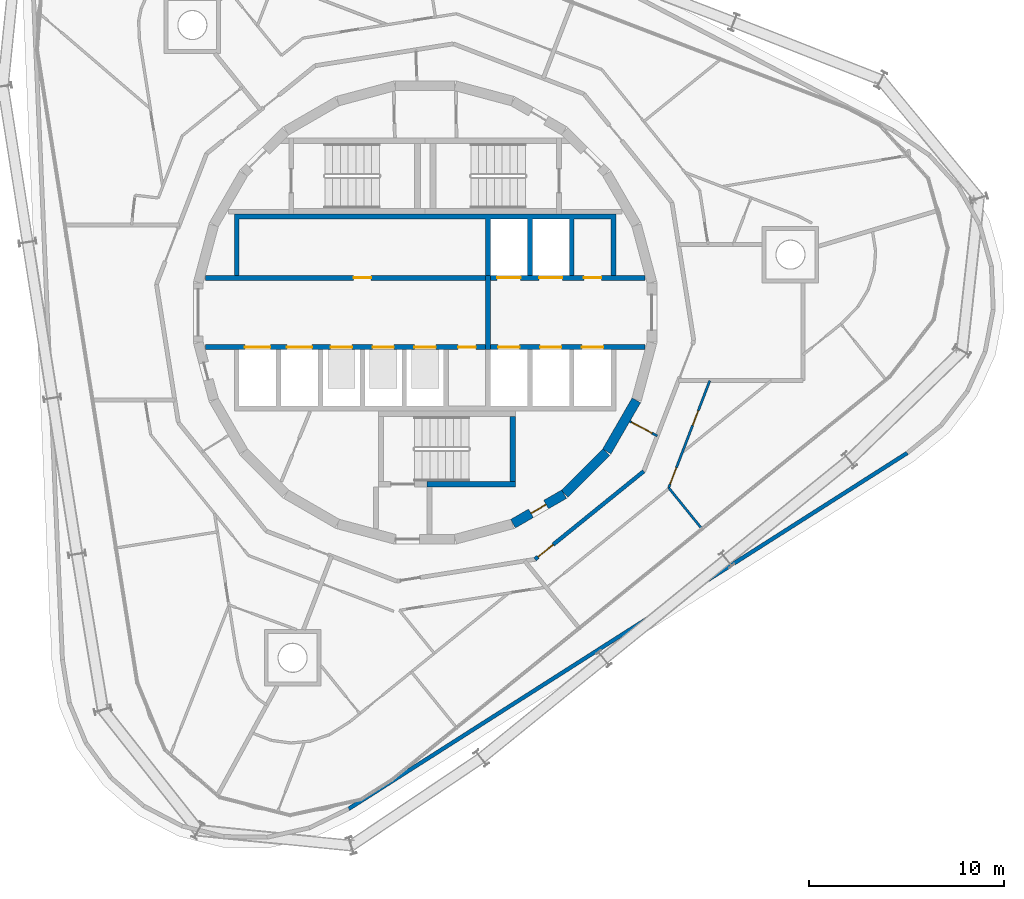
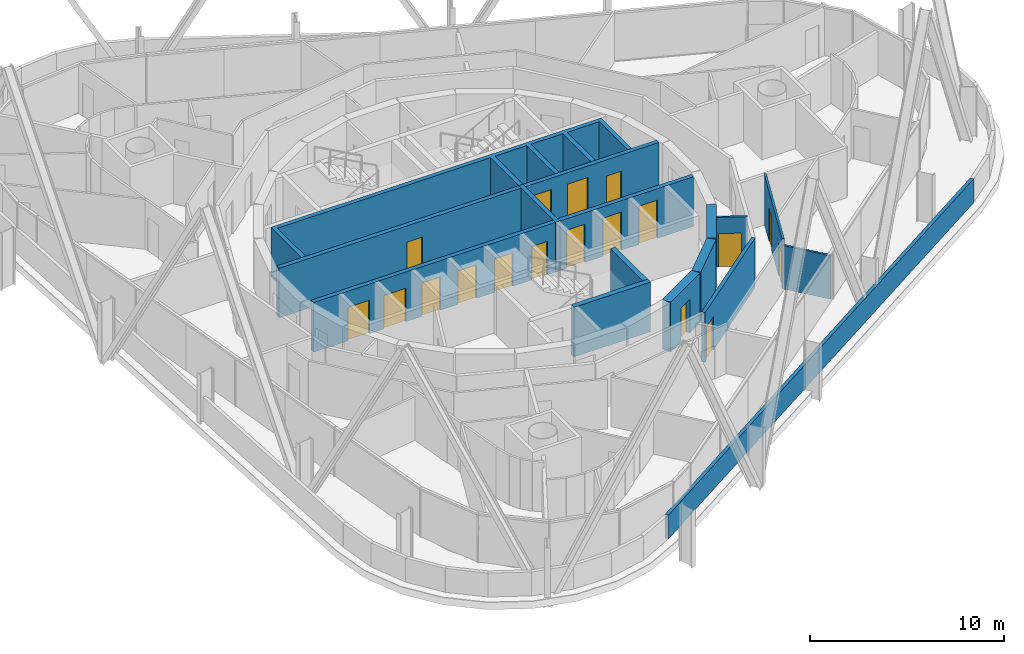
# One storey, part 13 of 19: 18 doors, 16 walls, 18 openings.
"""IFC4 building model written with IfcOpenShell, lengths in metres."""

from ifc_helpers import new_model, si_unit, direction, frame, frame_2d, origin, place, context, subcontext, project, spatial, polyline, rectangle, outline, extrude, material, layer, layer_set, type_object, element, fill, save


model = new_model("IFC4")

# Units and contexts
model_context = context("Model", 3, precision=1e-05, world=origin(), true_north=direction((0.0, 1.0)))
body_context = subcontext(model_context, "Body", "Model", "MODEL_VIEW")
ifc_project = project(units=[si_unit("LENGTHUNIT", "METRE"), si_unit("AREAUNIT", "SQUARE_METRE"), si_unit("VOLUMEUNIT", "CUBIC_METRE"), si_unit("PLANEANGLEUNIT", "RADIAN"), si_unit("MASSUNIT", "GRAM", prefix="KILO")], contexts=[model_context])

# Site, building, storey
site_placement = place(None, origin())
site = spatial("IfcSite", under=ifc_project, at=site_placement, CompositionType="ELEMENT")
building_placement = place(site_placement, origin())
building = spatial("IfcBuilding", under=site, at=building_placement, Name="Spindle Arch Residences", CompositionType="ELEMENT")
storey_placement = place(building_placement, frame((0.0, 0.0, 263.39990234375)))
storey = spatial("IfcBuildingStorey", under=building, at=storey_placement, Name="L67", CompositionType="ELEMENT", Elevation=263.39990234375)

# Wall, opening, door
ifc_material_1 = material(Name="Concrete C50/60", Category="concrete")
ifc_layer_1 = layer(ifc_material_1, 0.5)
ifc_layer_set_1 = layer_set([ifc_layer_1], Name="Core outline wall 500")
wall_type_1 = type_object("IfcWallType", Name="Core outline wall 500", PredefinedType="SHEAR", material=ifc_layer_set_1)
wall_1_placement = place(storey_placement, frame((4.510498046875, -10.84521484375, 0.0), z_axis=(0.0, 0.0, 1.0), x_axis=(0.865975092491, 0.500087131594, 0.0)))
wall_1 = element("IfcWall", 1, at=wall_1_placement, inside=storey, type_object=wall_type_1, Name="Core outline wall 2", PredefinedType="SHEAR", context=body_context, shape_type="SweptSolid", body=[
    extrude(rectangle(XDim=3.03271484375, YDim=0.5, at=frame_2d((1.516357421875, 0.0))), origin(), (0.0, 0.0, 1.0), 3.1201171875),
])
opening_1_placement = place(wall_1_placement, frame((1.06640625, 0.0, 0.0)))
opening_1 = element("IfcOpeningElement", 2, at=opening_1_placement, cuts=wall_1, Name="Opening R7A0-WD07", PredefinedType="OPENING", context=body_context, shape_type="SweptSolid", body=[
    extrude(rectangle(XDim=0.89990234375, YDim=2.10009765625, at=frame_2d((0.449951171875, 1.050048828125))), frame((0.0, 0.260009765625, 0.0), z_axis=(0.0, -1.0, 0.0), x_axis=(1.0, 0.0, 0.0)), (0.0, 0.0, 1.0), 0.52001953125),
])
ifc_material_2 = material(Name="Steel, fire-resisting door", Category="steel")
door_type_1 = type_object("IfcDoorType", Name="Service room door 900x2100", OperationType="SINGLE_SWING_LEFT", PredefinedType="DOOR", material=ifc_material_2)
door_1_placement = place(opening_1_placement, origin())
door_1 = element("IfcDoor", 3, at=door_1_placement, inside=storey, type_object=door_type_1, Name="Service room door R7A0-WD07", OperationType="SINGLE_SWING_LEFT", OverallHeight=2.10009765625, OverallWidth=0.89990234375, PredefinedType="DOOR", context=body_context, shape_type="SweptSolid", body=[
    extrude(rectangle(XDim=0.89990234375, YDim=2.10009765625, at=frame_2d((0.449951171875, 1.050048828125))), frame((0.0, 0.02490234375, 0.0), z_axis=(0.0, -1.0, 0.0), x_axis=(1.0, 0.0, 0.0)), (0.0, 0.0, 1.0), 0.050048828125),
])
fill(opening_1, door_1)

# Walls
wall_2_placement = place(storey_placement, frame((7.163818359375, -9.30810546875, 0.0), z_axis=(0.0, 0.0, 1.0), x_axis=(0.707106781187, 0.707106781187, 0.0)))
element("IfcWall", 4, at=wall_2_placement, inside=storey, type_object=wall_type_1, Name="Core outline wall 3", PredefinedType="SHEAR", context=body_context, shape_type="SweptSolid", body=[
    extrude(rectangle(XDim=3.032470703125, YDim=0.5, at=frame_2d((1.51611328125, 0.0))), origin(), (0.0, 0.0, 1.0), 3.1201171875),
])
wall_3_placement = place(storey_placement, frame((9.32861328125, -7.13671875, 0.0), z_axis=(0.0, 0.0, 1.0), x_axis=(0.500087131594, 0.865975092491, 0.0)))
element("IfcWall", 5, at=wall_3_placement, inside=storey, type_object=wall_type_1, Name="Core outline wall 4", PredefinedType="SHEAR", context=body_context, shape_type="SweptSolid", body=[
    extrude(rectangle(XDim=3.03271484375, YDim=0.5, at=frame_2d((1.516357421875, 0.0))), origin(), (0.0, 0.0, 1.0), 3.1201171875),
])

# Wall, opening, door
ifc_material_3 = material(Name="Plasterboard on steel studs", Category="steel")
ifc_layer_2 = layer(ifc_material_3, 0.1201171875)
ifc_layer_set_2 = layer_set([ifc_layer_2], Name="Corridor division wall 120")
wall_type_2 = type_object("IfcWallType", Name="Corridor division wall 120", PredefinedType="PARTITIONING", material=ifc_layer_set_2)
wall_4_placement = place(storey_placement, frame((10.510986328125, -5.5888671875, 0.0), z_axis=(0.0, 0.0, 1.0), x_axis=(0.882983002821, -0.469404960273, 0.0)))
wall_4 = element("IfcWall", 6, at=wall_4_placement, inside=storey, type_object=wall_type_2, Name="Corridor division wall R7A0-W002", PredefinedType="PARTITIONING", context=body_context, shape_type="SweptSolid", body=[
    extrude(rectangle(XDim=1.59619140625, YDim=0.1201171875, at=frame_2d((0.798095703125, 0.0))), origin(), (0.0, 0.0, 1.0), 3.1201171875),
])
opening_2_placement = place(wall_4_placement, frame((0.10009765625, 0.0, 0.0)))
opening_2 = element("IfcOpeningElement", 7, at=opening_2_placement, cuts=wall_4, Name="Opening R7A0-CD02", PredefinedType="OPENING", context=body_context, shape_type="SweptSolid", body=[
    extrude(rectangle(XDim=1.199951171875, YDim=2.10009765625, at=frame_2d((0.60009765625, 1.050048828125))), frame((0.0, 0.070068359375, 0.0), z_axis=(0.0, -1.0, 0.0), x_axis=(1.0, 0.0, 0.0)), (0.0, 0.0, 1.0), 0.14013671875),
])
ifc_material_4 = material(Name="Steel, fire-resisting door", Category="steel")
door_type_2 = type_object("IfcDoorType", Name="Corridor division door 1200x2100", OperationType="NOTDEFINED", PredefinedType="DOOR", material=ifc_material_4)
door_2_placement = place(opening_2_placement, origin())
door_2 = element("IfcDoor", 8, at=door_2_placement, inside=storey, type_object=door_type_2, Name="Corridor division door R7A0-CD02", OperationType="DOUBLE_DOOR_SINGLE_SWING", OverallHeight=2.10009765625, OverallWidth=1.199951171875, PredefinedType="DOOR", context=body_context, shape_type="SweptSolid", body=[
    extrude(rectangle(XDim=1.199951171875, YDim=2.10009765625, at=frame_2d((0.60009765625, 1.050048828125))), frame((0.0, 0.02490234375, 0.0), z_axis=(0.0, -1.0, 0.0), x_axis=(1.0, 0.0, 0.0)), (0.0, 0.0, 1.0), 0.050048828125),
])
fill(opening_2, door_2)

ifc_material_5 = material(Name="Calcium silicate block, plastered")
ifc_layer_3 = layer(ifc_material_5, 0.199951171875)
ifc_layer_set_3 = layer_set([ifc_layer_3], Name="Corridor wall 200")
wall_type_3 = type_object("IfcWallType", Name="Corridor wall 200", PredefinedType="STANDARD", material=ifc_layer_set_3)
wall_5_placement = place(storey_placement, frame((5.642578125, -12.67333984375, 0.0), z_axis=(0.0, 0.0, 1.0), x_axis=(0.777160148113, 0.629302871585, 0.0)))
wall_5 = element("IfcWall", 9, at=wall_5_placement, inside=storey, type_object=wall_type_3, Name="Corridor wall R7A0-W015", PredefinedType="STANDARD", context=body_context, shape_type="SweptSolid", body=[
    extrude(rectangle(XDim=7.180908203125, YDim=0.199951171875, at=frame_2d((3.59033203125, 0.0))), origin(), (0.0, 0.0, 1.0), 3.1201171875),
])
opening_3_placement = place(wall_5_placement, frame((0.199951171875, 0.0, 0.0)))
opening_3 = element("IfcOpeningElement", 10, at=opening_3_placement, cuts=wall_5, Name="Opening R7A0-FD06", PredefinedType="OPENING", context=body_context, shape_type="SweptSolid", body=[
    extrude(rectangle(XDim=1.0, YDim=2.10009765625, at=frame_2d((0.5, 1.050048828125))), frame((0.0, 0.10986328125, 0.0), z_axis=(0.0, -1.0, 0.0), x_axis=(1.0, 0.0, 0.0)), (0.0, 0.0, 1.0), 0.219970703125),
])
ifc_material_6 = material(Name="Timber, fire-resisting door set", Category="wood")
door_type_3 = type_object("IfcDoorType", Name="Flat entrance door 1000x2100", OperationType="NOTDEFINED", PredefinedType="DOOR", material=ifc_material_6)
door_3_placement = place(opening_3_placement, origin())
door_3 = element("IfcDoor", 11, at=door_3_placement, inside=storey, type_object=door_type_3, Name="Flat entrance door R7A0-FD06", OperationType="SINGLE_SWING_LEFT", OverallHeight=2.10009765625, OverallWidth=1.0, PredefinedType="DOOR", context=body_context, shape_type="SweptSolid", body=[
    extrude(rectangle(XDim=1.0, YDim=2.10009765625, at=frame_2d((0.5, 1.050048828125))), frame((0.0, 0.02490234375, 0.0), z_axis=(0.0, -1.0, 0.0), x_axis=(1.0, 0.0, 0.0)), (0.0, 0.0, 1.0), 0.050048828125),
])
fill(opening_3, door_3)

# Wall, openings, doors
ifc_material_7 = material(Name="Concrete C40/50", Category="concrete")
ifc_layer_4 = layer(ifc_material_7, 0.25)
ifc_layer_set_4 = layer_set([ifc_layer_4], Name="Fire-lift lobby wall 250")
wall_type_4 = type_object("IfcWallType", Name="Fire-lift lobby wall 250", PredefinedType="SHEAR", material=ifc_layer_set_4)
wall_6_placement = place(storey_placement, frame((3.35009765625, 1.77490234375, 0.0), z_axis=(0.0, 0.0, 1.0), x_axis=(1.0, 0.0, 0.0)))
wall_6 = element("IfcWall", 12, at=wall_6_placement, inside=storey, type_object=wall_type_4, Name="Lift shaft front wall NE", PredefinedType="SHEAR", context=body_context, shape_type="SweptSolid", body=[
    extrude(rectangle(XDim=7.929931640625, YDim=0.25, at=frame_2d((3.96484375, 0.0))), origin(), (0.0, 0.0, 1.0), 3.1201171875),
])
opening_4_placement = place(wall_6_placement, frame((0.35009765625, 0.0, 0.0)))
opening_4 = element("IfcOpeningElement", 13, at=opening_4_placement, cuts=wall_6, Name="Opening R7A0-SLD01", PredefinedType="OPENING", context=body_context, shape_type="SweptSolid", body=[
    extrude(rectangle(XDim=1.199951171875, YDim=2.39990234375, at=frame_2d((0.60009765625, 1.199951171875))), frame((0.0, 0.135009765625, 0.0), z_axis=(0.0, -1.0, 0.0), x_axis=(1.0, 0.0, 0.0)), (0.0, 0.0, 1.0), 0.27001953125),
])
opening_5_placement = place(wall_6_placement, frame((2.5, 0.0, 0.0)))
opening_5 = element("IfcOpeningElement", 14, at=opening_5_placement, cuts=wall_6, Name="Opening R7A0-SLD02", PredefinedType="OPENING", context=body_context, shape_type="SweptSolid", body=[
    extrude(rectangle(XDim=1.199951171875, YDim=2.39990234375, at=frame_2d((0.60009765625, 1.199951171875))), frame((0.0, 0.135009765625, 0.0), z_axis=(0.0, -1.0, 0.0), x_axis=(1.0, 0.0, 0.0)), (0.0, 0.0, 1.0), 0.27001953125),
])
opening_6_placement = place(wall_6_placement, frame((4.800048828125, 0.0, 0.0)))
opening_6 = element("IfcOpeningElement", 15, at=opening_6_placement, cuts=wall_6, Name="Opening R7A0-WD02", PredefinedType="OPENING", context=body_context, shape_type="SweptSolid", body=[
    extrude(rectangle(XDim=0.89990234375, YDim=2.10009765625, at=frame_2d((0.449951171875, 1.050048828125))), frame((0.0, 0.135009765625, 0.0), z_axis=(0.0, -1.0, 0.0), x_axis=(1.0, 0.0, 0.0)), (0.0, 0.0, 1.0), 0.27001953125),
])
ifc_material_8 = material(Name="Steel, fire-resisting landing door", Category="steel")
door_type_4 = type_object("IfcDoorType", Name="Service lift landing door 1200x2400", OperationType="DOUBLE_DOOR_SLIDING", PredefinedType="DOOR", material=ifc_material_8)
door_4_placement = place(opening_4_placement, origin())
door_4 = element("IfcDoor", 16, at=door_4_placement, inside=storey, type_object=door_type_4, Name="Service lift landing door R7A0-SLD01", OperationType="DOUBLE_DOOR_SLIDING", OverallHeight=2.39990234375, OverallWidth=1.199951171875, PredefinedType="DOOR", context=body_context, shape_type="SweptSolid", body=[
    extrude(rectangle(XDim=1.199951171875, YDim=2.39990234375, at=frame_2d((0.60009765625, 1.199951171875))), frame((0.0, 0.02490234375, 0.0), z_axis=(0.0, -1.0, 0.0), x_axis=(1.0, 0.0, 0.0)), (0.0, 0.0, 1.0), 0.050048828125),
])
fill(opening_4, door_4)
door_5_placement = place(opening_5_placement, origin())
door_5 = element("IfcDoor", 17, at=door_5_placement, inside=storey, type_object=door_type_4, Name="Service lift landing door R7A0-SLD02", OperationType="DOUBLE_DOOR_SLIDING", OverallHeight=2.39990234375, OverallWidth=1.199951171875, PredefinedType="DOOR", context=body_context, shape_type="SweptSolid", body=[
    extrude(rectangle(XDim=1.199951171875, YDim=2.39990234375, at=frame_2d((0.60009765625, 1.199951171875))), frame((0.0, 0.02490234375, 0.0), z_axis=(0.0, -1.0, 0.0), x_axis=(1.0, 0.0, 0.0)), (0.0, 0.0, 1.0), 0.050048828125),
])
fill(opening_5, door_5)
door_6_placement = place(opening_6_placement, origin())
door_6 = element("IfcDoor", 18, at=door_6_placement, inside=storey, type_object=door_type_1, Name="Service room door R7A0-WD02", OperationType="SINGLE_SWING_RIGHT", OverallHeight=2.10009765625, OverallWidth=0.89990234375, PredefinedType="DOOR", context=body_context, shape_type="SweptSolid", body=[
    extrude(rectangle(XDim=0.89990234375, YDim=2.10009765625, at=frame_2d((0.449951171875, 1.050048828125))), frame((0.0, 0.02490234375, 0.0), z_axis=(0.0, -1.0, 0.0), x_axis=(1.0, 0.0, 0.0)), (0.0, 0.0, 1.0), 0.050048828125),
])
fill(opening_6, door_6)

# Wall
wall_7_placement = place(storey_placement, frame((3.22509765625, -1.89990234375, 0.0), z_axis=(0.0, 0.0, 1.0), x_axis=(0.0, 1.0, 0.0)))
element("IfcWall", 19, at=wall_7_placement, inside=storey, type_object=wall_type_4, Name="Fire-fighting lobby partition", PredefinedType="SHEAR", context=body_context, shape_type="SweptSolid", body=[
    extrude(rectangle(XDim=3.7998046875, YDim=0.25, at=frame_2d((1.89990234375, 0.0))), origin(), (0.0, 0.0, 1.0), 3.1201171875),
])

# Wall, openings, doors
ifc_material_9 = material(Name="Concrete C50/60", Category="concrete")
ifc_layer_5 = layer(ifc_material_9, 0.25)
ifc_layer_set_5 = layer_set([ifc_layer_5], Name="Fire-lift shaft wall 250")
wall_type_5 = type_object("IfcWallType", Name="Fire-lift shaft wall 250", PredefinedType="SHEAR", material=ifc_layer_set_5)
wall_8_placement = place(storey_placement, frame((3.35009765625, -1.77490234375, 0.0), z_axis=(0.0, 0.0, 1.0), x_axis=(1.0, 0.0, 0.0)))
wall_8 = element("IfcWall", 20, at=wall_8_placement, inside=storey, type_object=wall_type_5, Name="Lift shaft front wall SE", PredefinedType="SHEAR", context=body_context, shape_type="SweptSolid", body=[
    extrude(rectangle(XDim=7.929931640625, YDim=0.25, at=frame_2d((3.96484375, 0.0))), origin(), (0.0, 0.0, 1.0), 3.1201171875),
])
opening_7_placement = place(wall_8_placement, frame((0.39990234375, 0.0, 0.0)))
opening_7 = element("IfcOpeningElement", 21, at=opening_7_placement, cuts=wall_8, Name="Opening R7A0-FLD01", PredefinedType="OPENING", context=body_context, shape_type="SweptSolid", body=[
    extrude(rectangle(XDim=1.10009765625, YDim=2.39990234375, at=frame_2d((0.550048828125, 1.199951171875))), frame((0.0, 0.135009765625, 0.0), z_axis=(0.0, -1.0, 0.0), x_axis=(1.0, 0.0, 0.0)), (0.0, 0.0, 1.0), 0.27001953125),
])
opening_8_placement = place(wall_8_placement, frame((2.550048828125, 0.0, 0.0)))
opening_8 = element("IfcOpeningElement", 22, at=opening_8_placement, cuts=wall_8, Name="Opening R7A0-FLD02", PredefinedType="OPENING", context=body_context, shape_type="SweptSolid", body=[
    extrude(rectangle(XDim=1.10009765625, YDim=2.39990234375, at=frame_2d((0.550048828125, 1.199951171875))), frame((0.0, 0.135009765625, 0.0), z_axis=(0.0, -1.0, 0.0), x_axis=(1.0, 0.0, 0.0)), (0.0, 0.0, 1.0), 0.27001953125),
])
opening_9_placement = place(wall_8_placement, frame((4.699951171875, 0.0, 0.0)))
opening_9 = element("IfcOpeningElement", 23, at=opening_9_placement, cuts=wall_8, Name="Opening R7A0-FLD03", PredefinedType="OPENING", context=body_context, shape_type="SweptSolid", body=[
    extrude(rectangle(XDim=1.10009765625, YDim=2.39990234375, at=frame_2d((0.550048828125, 1.199951171875))), frame((0.0, 0.135009765625, 0.0), z_axis=(0.0, -1.0, 0.0), x_axis=(1.0, 0.0, 0.0)), (0.0, 0.0, 1.0), 0.27001953125),
])
ifc_material_10 = material(Name="Steel, fire-resisting landing door", Category="steel")
door_type_5 = type_object("IfcDoorType", Name="Fire-fighting lift landing door 1100x2400", OperationType="DOUBLE_DOOR_SLIDING", PredefinedType="DOOR", material=ifc_material_10)
door_7_placement = place(opening_7_placement, origin())
door_7 = element("IfcDoor", 24, at=door_7_placement, inside=storey, type_object=door_type_5, Name="Fire-fighting lift landing door R7A0-FLD01", OperationType="DOUBLE_DOOR_SLIDING", OverallHeight=2.39990234375, OverallWidth=1.10009765625, PredefinedType="DOOR", context=body_context, shape_type="SweptSolid", body=[
    extrude(rectangle(XDim=1.10009765625, YDim=2.39990234375, at=frame_2d((0.550048828125, 1.199951171875))), frame((0.0, 0.02490234375, 0.0), z_axis=(0.0, -1.0, 0.0), x_axis=(1.0, 0.0, 0.0)), (0.0, 0.0, 1.0), 0.050048828125),
])
fill(opening_7, door_7)
door_8_placement = place(opening_8_placement, origin())
door_8 = element("IfcDoor", 25, at=door_8_placement, inside=storey, type_object=door_type_5, Name="Fire-fighting lift landing door R7A0-FLD02", OperationType="DOUBLE_DOOR_SLIDING", OverallHeight=2.39990234375, OverallWidth=1.10009765625, PredefinedType="DOOR", context=body_context, shape_type="SweptSolid", body=[
    extrude(rectangle(XDim=1.10009765625, YDim=2.39990234375, at=frame_2d((0.550048828125, 1.199951171875))), frame((0.0, 0.02490234375, 0.0), z_axis=(0.0, -1.0, 0.0), x_axis=(1.0, 0.0, 0.0)), (0.0, 0.0, 1.0), 0.050048828125),
])
fill(opening_8, door_8)
door_9_placement = place(opening_9_placement, origin())
door_9 = element("IfcDoor", 26, at=door_9_placement, inside=storey, type_object=door_type_5, Name="Fire-fighting lift landing door R7A0-FLD03", OperationType="DOUBLE_DOOR_SLIDING", OverallHeight=2.39990234375, OverallWidth=1.10009765625, PredefinedType="DOOR", context=body_context, shape_type="SweptSolid", body=[
    extrude(rectangle(XDim=1.10009765625, YDim=2.39990234375, at=frame_2d((0.550048828125, 1.199951171875))), frame((0.0, 0.02490234375, 0.0), z_axis=(0.0, -1.0, 0.0), x_axis=(1.0, 0.0, 0.0)), (0.0, 0.0, 1.0), 0.050048828125),
])
fill(opening_9, door_9)

ifc_material_11 = material(Name="Plasterboard on steel studs", Category="steel")
ifc_layer_6 = layer(ifc_material_11, 0.1201171875)
ifc_layer_set_6 = layer_set([ifc_layer_6], Name="Flat partition 120")
wall_type_6 = type_object("IfcWallType", Name="Flat partition 120", PredefinedType="PARTITIONING", material=ifc_layer_set_6)
wall_9_placement = place(storey_placement, frame((12.5048828125, -9.000732421875, 0.0), z_axis=(0.0, 0.0, 1.0), x_axis=(0.358373707046, 0.933578216379, 0.0)))
wall_9 = element("IfcWall", 27, at=wall_9_placement, inside=storey, type_object=wall_type_6, Name="Flat partition R7A0-W086", PredefinedType="PARTITIONING", context=body_context, shape_type="SweptSolid", body=[
    extrude(rectangle(XDim=5.89208984375, YDim=0.1201171875, at=frame_2d((2.946044921875, 0.0))), origin(), (0.0, 0.0, 1.0), 3.1201171875),
])
opening_10_placement = place(wall_9_placement, frame((0.199951171875, 0.0, 0.0)))
opening_10 = element("IfcOpeningElement", 28, at=opening_10_placement, cuts=wall_9, Name="Opening R7A0-ID24", PredefinedType="OPENING", context=body_context, shape_type="SweptSolid", body=[
    extrude(rectangle(XDim=0.89990234375, YDim=2.10009765625, at=frame_2d((0.449951171875, 1.050048828125))), frame((0.0, 0.070068359375, 0.0), z_axis=(0.0, -1.0, 0.0), x_axis=(1.0, 0.0, 0.0)), (0.0, 0.0, 1.0), 0.14013671875),
])
opening_11_placement = place(wall_9_placement, frame((3.435791015625, 0.0, 0.0)))
opening_11 = element("IfcOpeningElement", 29, at=opening_11_placement, cuts=wall_9, Name="Opening R7A0-BD06", PredefinedType="OPENING", context=body_context, shape_type="SweptSolid", body=[
    extrude(rectangle(XDim=0.800048828125, YDim=2.10009765625, at=frame_2d((0.39990234375, 1.050048828125))), frame((0.0, 0.070068359375, 0.0), z_axis=(0.0, -1.0, 0.0), x_axis=(1.0, 0.0, 0.0)), (0.0, 0.0, 1.0), 0.14013671875),
])
ifc_material_12 = material(Name="Timber door set", Category="wood")
door_type_6 = type_object("IfcDoorType", Name="Bathroom door 800x2100", OperationType="NOTDEFINED", PredefinedType="DOOR", material=ifc_material_12)
door_10_placement = place(opening_11_placement, origin())
door_10 = element("IfcDoor", 30, at=door_10_placement, inside=storey, type_object=door_type_6, Name="Bathroom door R7A0-BD06", OperationType="SINGLE_SWING_RIGHT", OverallHeight=2.10009765625, OverallWidth=0.800048828125, PredefinedType="DOOR", context=body_context, shape_type="SweptSolid", body=[
    extrude(rectangle(XDim=0.800048828125, YDim=2.10009765625, at=frame_2d((0.39990234375, 1.050048828125))), frame((0.0, 0.02490234375, 0.0), z_axis=(0.0, -1.0, 0.0), x_axis=(1.0, 0.0, 0.0)), (0.0, 0.0, 1.0), 0.050048828125),
])
fill(opening_11, door_10)
ifc_material_13 = material(Name="Timber door set", Category="wood")
door_type_7 = type_object("IfcDoorType", Name="Room door 900x2100", OperationType="NOTDEFINED", PredefinedType="DOOR", material=ifc_material_13)
door_11_placement = place(opening_10_placement, origin())
door_11 = element("IfcDoor", 31, at=door_11_placement, inside=storey, type_object=door_type_7, Name="Room door R7A0-ID24", OperationType="SINGLE_SWING_RIGHT", OverallHeight=2.10009765625, OverallWidth=0.89990234375, PredefinedType="DOOR", context=body_context, shape_type="SweptSolid", body=[
    extrude(rectangle(XDim=0.89990234375, YDim=2.10009765625, at=frame_2d((0.449951171875, 1.050048828125))), frame((0.0, 0.02490234375, 0.0), z_axis=(0.0, -1.0, 0.0), x_axis=(1.0, 0.0, 0.0)), (0.0, 0.0, 1.0), 0.050048828125),
])
fill(opening_10, door_11)

# Wall
ifc_material_14 = material(Name="Plasterboard on steel studs", Category="steel")
ifc_layer_7 = layer(ifc_material_14, 0.1201171875)
ifc_layer_set_7 = layer_set([ifc_layer_7], Name="Flat partition 120 under beam 2730")
wall_type_7 = type_object("IfcWallType", Name="Flat partition 120 under beam 2730", PredefinedType="PARTITIONING", material=ifc_layer_set_7)
wall_10_placement = place(storey_placement, frame((14.161376953125, -11.04638671875, 0.0), z_axis=(0.0, 0.0, 1.0), x_axis=(-0.62931028473, 0.777154145284, 0.0)))
element("IfcWall", 32, at=wall_10_placement, inside=storey, type_object=wall_type_7, Name="Flat partition R7A0-W094", PredefinedType="PARTITIONING", context=body_context, shape_type="SweptSolid", body=[
    extrude(rectangle(XDim=2.63232421875, YDim=0.1201171875, at=frame_2d((1.316162109375, 0.0))), origin(), (0.0, 0.0, 1.0), 2.72998046875),
])

# Wall, opening, door
ifc_material_15 = material(Name="Concrete C50/60", Category="concrete")
ifc_layer_8 = layer(ifc_material_15, 0.25)
ifc_layer_set_8 = layer_set([ifc_layer_8], Name="Lift shaft wall 250")
wall_type_8 = type_object("IfcWallType", Name="Lift shaft wall 250", PredefinedType="SHEAR", material=ifc_layer_set_8)
wall_11_placement = place(storey_placement, frame((-11.280029296875, 1.77490234375, 0.0), z_axis=(0.0, 0.0, 1.0), x_axis=(1.0, 0.0, 0.0)))
wall_11 = element("IfcWall", 33, at=wall_11_placement, inside=storey, type_object=wall_type_8, Name="Lift shaft front wall NW", PredefinedType="SHEAR", context=body_context, shape_type="SweptSolid", body=[
    extrude(rectangle(XDim=14.380126953125, YDim=0.25, at=frame_2d((7.18994140625, 0.0))), origin(), (0.0, 0.0, 1.0), 3.1201171875),
])
opening_12_placement = place(wall_11_placement, frame((7.60498046875, 0.0, 0.0)))
opening_12 = element("IfcOpeningElement", 34, at=opening_12_placement, cuts=wall_11, Name="Opening R7A0-WD01", PredefinedType="OPENING", context=body_context, shape_type="SweptSolid", body=[
    extrude(rectangle(XDim=0.89990234375, YDim=2.10009765625, at=frame_2d((0.449951171875, 1.050048828125))), frame((0.0, 0.135009765625, 0.0), z_axis=(0.0, -1.0, 0.0), x_axis=(1.0, 0.0, 0.0)), (0.0, 0.0, 1.0), 0.27001953125),
])
door_12_placement = place(opening_12_placement, origin())
door_12 = element("IfcDoor", 35, at=door_12_placement, inside=storey, type_object=door_type_1, Name="Service room door R7A0-WD01", OperationType="SINGLE_SWING_LEFT", OverallHeight=2.10009765625, OverallWidth=0.89990234375, PredefinedType="DOOR", context=body_context, shape_type="SweptSolid", body=[
    extrude(rectangle(XDim=0.89990234375, YDim=2.10009765625, at=frame_2d((0.449951171875, 1.050048828125))), frame((0.0, 0.02490234375, 0.0), z_axis=(0.0, -1.0, 0.0), x_axis=(1.0, 0.0, 0.0)), (0.0, 0.0, 1.0), 0.050048828125),
])
fill(opening_12, door_12)

# Wall, openings, doors
wall_12_placement = place(storey_placement, frame((-11.280029296875, -1.77490234375, 0.0), z_axis=(0.0, 0.0, 1.0), x_axis=(1.0, 0.0, 0.0)))
wall_12 = element("IfcWall", 36, at=wall_12_placement, inside=storey, type_object=wall_type_8, Name="Lift shaft front wall SW", PredefinedType="SHEAR", context=body_context, shape_type="SweptSolid", body=[
    extrude(rectangle(XDim=14.380126953125, YDim=0.25, at=frame_2d((7.18994140625, 0.0))), origin(), (0.0, 0.0, 1.0), 3.1201171875),
])
opening_13_placement = place(wall_12_placement, frame((2.030029296875, 0.0, 0.0)))
opening_13 = element("IfcOpeningElement", 37, at=opening_13_placement, cuts=wall_12, Name="Opening R7A0-XLD01", PredefinedType="OPENING", context=body_context, shape_type="SweptSolid", body=[
    extrude(rectangle(XDim=1.300048828125, YDim=2.10009765625, at=frame_2d((0.64990234375, 1.050048828125))), frame((0.0, 0.135009765625, 0.0), z_axis=(0.0, -1.0, 0.0), x_axis=(1.0, 0.0, 0.0)), (0.0, 0.0, 1.0), 0.27001953125),
])
opening_14_placement = place(wall_12_placement, frame((4.179931640625, 0.0, 0.0)))
opening_14 = element("IfcOpeningElement", 38, at=opening_14_placement, cuts=wall_12, Name="Opening R7A0-XLD02", PredefinedType="OPENING", context=body_context, shape_type="SweptSolid", body=[
    extrude(rectangle(XDim=1.300048828125, YDim=2.10009765625, at=frame_2d((0.64990234375, 1.050048828125))), frame((0.0, 0.135009765625, 0.0), z_axis=(0.0, -1.0, 0.0), x_axis=(1.0, 0.0, 0.0)), (0.0, 0.0, 1.0), 0.27001953125),
])
opening_15_placement = place(wall_12_placement, frame((6.429931640625, 0.0, 0.0)))
opening_15 = element("IfcOpeningElement", 39, at=opening_15_placement, cuts=wall_12, Name="Opening R7A0-LD01", PredefinedType="OPENING", context=body_context, shape_type="SweptSolid", body=[
    extrude(rectangle(XDim=1.10009765625, YDim=2.10009765625, at=frame_2d((0.550048828125, 1.050048828125))), frame((0.0, 0.135009765625, 0.0), z_axis=(0.0, -1.0, 0.0), x_axis=(1.0, 0.0, 0.0)), (0.0, 0.0, 1.0), 0.27001953125),
])
opening_16_placement = place(wall_12_placement, frame((8.580078125, 0.0, 0.0)))
opening_16 = element("IfcOpeningElement", 40, at=opening_16_placement, cuts=wall_12, Name="Opening R7A0-LD02", PredefinedType="OPENING", context=body_context, shape_type="SweptSolid", body=[
    extrude(rectangle(XDim=1.10009765625, YDim=2.10009765625, at=frame_2d((0.550048828125, 1.050048828125))), frame((0.0, 0.135009765625, 0.0), z_axis=(0.0, -1.0, 0.0), x_axis=(1.0, 0.0, 0.0)), (0.0, 0.0, 1.0), 0.27001953125),
])
opening_17_placement = place(wall_12_placement, frame((10.72998046875, 0.0, 0.0)))
opening_17 = element("IfcOpeningElement", 41, at=opening_17_placement, cuts=wall_12, Name="Opening R7A0-LD03", PredefinedType="OPENING", context=body_context, shape_type="SweptSolid", body=[
    extrude(rectangle(XDim=1.10009765625, YDim=2.10009765625, at=frame_2d((0.550048828125, 1.050048828125))), frame((0.0, 0.135009765625, 0.0), z_axis=(0.0, -1.0, 0.0), x_axis=(1.0, 0.0, 0.0)), (0.0, 0.0, 1.0), 0.27001953125),
])
opening_18_placement = place(wall_12_placement, frame((12.97998046875, 0.0, 0.0)))
opening_18 = element("IfcOpeningElement", 42, at=opening_18_placement, cuts=wall_12, Name="Opening R7A0-WD03", PredefinedType="OPENING", context=body_context, shape_type="SweptSolid", body=[
    extrude(rectangle(XDim=0.89990234375, YDim=2.10009765625, at=frame_2d((0.449951171875, 1.050048828125))), frame((0.0, 0.135009765625, 0.0), z_axis=(0.0, -1.0, 0.0), x_axis=(1.0, 0.0, 0.0)), (0.0, 0.0, 1.0), 0.27001953125),
])
ifc_material_16 = material(Name="Steel, fire-resisting landing door", Category="steel")
door_type_8 = type_object("IfcDoorType", Name="Express shuttle landing door 1300x2100", OperationType="DOUBLE_DOOR_SLIDING", PredefinedType="DOOR", material=ifc_material_16)
door_13_placement = place(opening_13_placement, origin())
door_13 = element("IfcDoor", 43, at=door_13_placement, inside=storey, type_object=door_type_8, Name="Express shuttle landing door R7A0-XLD01", OperationType="DOUBLE_DOOR_SLIDING", OverallHeight=2.10009765625, OverallWidth=1.300048828125, PredefinedType="DOOR", context=body_context, shape_type="SweptSolid", body=[
    extrude(rectangle(XDim=1.300048828125, YDim=2.10009765625, at=frame_2d((0.64990234375, 1.050048828125))), frame((0.0, 0.02490234375, 0.0), z_axis=(0.0, -1.0, 0.0), x_axis=(1.0, 0.0, 0.0)), (0.0, 0.0, 1.0), 0.050048828125),
])
fill(opening_13, door_13)
door_14_placement = place(opening_14_placement, origin())
door_14 = element("IfcDoor", 44, at=door_14_placement, inside=storey, type_object=door_type_8, Name="Express shuttle landing door R7A0-XLD02", OperationType="DOUBLE_DOOR_SLIDING", OverallHeight=2.10009765625, OverallWidth=1.300048828125, PredefinedType="DOOR", context=body_context, shape_type="SweptSolid", body=[
    extrude(rectangle(XDim=1.300048828125, YDim=2.10009765625, at=frame_2d((0.64990234375, 1.050048828125))), frame((0.0, 0.02490234375, 0.0), z_axis=(0.0, -1.0, 0.0), x_axis=(1.0, 0.0, 0.0)), (0.0, 0.0, 1.0), 0.050048828125),
])
fill(opening_14, door_14)
ifc_material_17 = material(Name="Steel, fire-resisting landing door", Category="steel")
door_type_9 = type_object("IfcDoorType", Name="Lift landing door 1100x2100", OperationType="DOUBLE_DOOR_SLIDING", PredefinedType="DOOR", material=ifc_material_17)
door_15_placement = place(opening_15_placement, origin())
door_15 = element("IfcDoor", 45, at=door_15_placement, inside=storey, type_object=door_type_9, Name="Lift landing door R7A0-LD01", OperationType="DOUBLE_DOOR_SLIDING", OverallHeight=2.10009765625, OverallWidth=1.10009765625, PredefinedType="DOOR", context=body_context, shape_type="SweptSolid", body=[
    extrude(rectangle(XDim=1.10009765625, YDim=2.10009765625, at=frame_2d((0.550048828125, 1.050048828125))), frame((0.0, 0.02490234375, 0.0), z_axis=(0.0, -1.0, 0.0), x_axis=(1.0, 0.0, 0.0)), (0.0, 0.0, 1.0), 0.050048828125),
])
fill(opening_15, door_15)
door_16_placement = place(opening_16_placement, origin())
door_16 = element("IfcDoor", 46, at=door_16_placement, inside=storey, type_object=door_type_9, Name="Lift landing door R7A0-LD02", OperationType="DOUBLE_DOOR_SLIDING", OverallHeight=2.10009765625, OverallWidth=1.10009765625, PredefinedType="DOOR", context=body_context, shape_type="SweptSolid", body=[
    extrude(rectangle(XDim=1.10009765625, YDim=2.10009765625, at=frame_2d((0.550048828125, 1.050048828125))), frame((0.0, 0.02490234375, 0.0), z_axis=(0.0, -1.0, 0.0), x_axis=(1.0, 0.0, 0.0)), (0.0, 0.0, 1.0), 0.050048828125),
])
fill(opening_16, door_16)
door_17_placement = place(opening_17_placement, origin())
door_17 = element("IfcDoor", 47, at=door_17_placement, inside=storey, type_object=door_type_9, Name="Lift landing door R7A0-LD03", OperationType="DOUBLE_DOOR_SLIDING", OverallHeight=2.10009765625, OverallWidth=1.10009765625, PredefinedType="DOOR", context=body_context, shape_type="SweptSolid", body=[
    extrude(rectangle(XDim=1.10009765625, YDim=2.10009765625, at=frame_2d((0.550048828125, 1.050048828125))), frame((0.0, 0.02490234375, 0.0), z_axis=(0.0, -1.0, 0.0), x_axis=(1.0, 0.0, 0.0)), (0.0, 0.0, 1.0), 0.050048828125),
])
fill(opening_17, door_17)
door_18_placement = place(opening_18_placement, origin())
door_18 = element("IfcDoor", 48, at=door_18_placement, inside=storey, type_object=door_type_1, Name="Service room door R7A0-WD03", OperationType="SINGLE_SWING_LEFT", OverallHeight=2.10009765625, OverallWidth=0.89990234375, PredefinedType="DOOR", context=body_context, shape_type="SweptSolid", body=[
    extrude(rectangle(XDim=0.89990234375, YDim=2.10009765625, at=frame_2d((0.449951171875, 1.050048828125))), frame((0.0, 0.02490234375, 0.0), z_axis=(0.0, -1.0, 0.0), x_axis=(1.0, 0.0, 0.0)), (0.0, 0.0, 1.0), 0.050048828125),
])
fill(opening_18, door_18)

# Walls
ifc_material_18 = material(Name="Concrete C50/60", Category="concrete")
wall_type_9 = type_object("IfcWallType", Name="Lift shaft wall profile", PredefinedType="SHEAR", material=ifc_material_18)
wall_13_placement = place(storey_placement, origin())
element("IfcWall", 49, at=wall_13_placement, inside=storey, type_object=wall_type_9, Name="Lift shaft walls N", PredefinedType="SHEAR", context=body_context, shape_type="SweptSolid", body=[
    extrude(outline(polyline([(-9.800048828125, 1.89990234375), (-9.550048828125, 1.89990234375), (-9.550048828125, 4.800048828125), (3.10009765625, 4.800048828125), (3.10009765625, 1.89990234375), (3.35009765625, 1.89990234375), (3.35009765625, 4.800048828125), (5.25, 4.800048828125), (5.25, 1.89990234375), (5.5, 1.89990234375), (5.5, 4.800048828125), (7.39990234375, 4.800048828125), (7.39990234375, 1.89990234375), (7.64990234375, 1.89990234375), (7.64990234375, 4.800048828125), (9.550048828125, 4.800048828125), (9.550048828125, 1.89990234375), (9.800048828125, 1.89990234375), (9.800048828125, 4.800048828125), (9.800048828125, 5.050048828125), (-9.800048828125, 5.050048828125), (-9.800048828125, 4.800048828125), (-9.800048828125, 1.89990234375)])), origin(), (0.0, 0.0, 1.0), 3.1201171875),
])
ifc_material_19 = material(Name="Concrete C40/50", Category="concrete")
ifc_layer_9 = layer(ifc_material_19, 0.199951171875)
ifc_layer_set_9 = layer_set([ifc_layer_9], Name="Roof parapet 1500")
wall_type_10 = type_object("IfcWallType", Name="Roof parapet 1500", PredefinedType="PARAPET", material=ifc_layer_set_9)
wall_14_placement = place(storey_placement, frame((24.756591796875, -7.212158203125, 0.030029296875), z_axis=(0.0, 0.0, 1.0), x_axis=(-0.843392095095, -0.537298589177, 0.0)))
element("IfcWall", 50, at=wall_14_placement, inside=storey, type_object=wall_type_10, Name="Roof parapet L66 1.1", PredefinedType="PARAPET", context=body_context, shape_type="SweptSolid", body=[
    extrude(rectangle(XDim=34.009033203125, YDim=0.199951171875, at=frame_2d((17.00439453125, 0.0))), origin(), (0.0, 0.0, 1.0), 1.5),
])
ifc_material_20 = material(Name="Concrete C50/60", Category="concrete")
ifc_layer_10 = layer(ifc_material_20, 0.300048828125)
ifc_layer_set_10 = layer_set([ifc_layer_10], Name="Stair enclosure wall 300")
wall_type_11 = type_object("IfcWallType", Name="Stair enclosure wall 300", PredefinedType="SHEAR", material=ifc_layer_set_10)
wall_15_placement = place(storey_placement, frame((4.5, -8.669921875, 0.0), z_axis=(0.0, 0.0, 1.0), x_axis=(0.0, 1.0, 0.0)))
element("IfcWall", 51, at=wall_15_placement, inside=storey, type_object=wall_type_11, Name="Stair ST-3 enclosure wall E", PredefinedType="SHEAR", context=body_context, shape_type="SweptSolid", body=[
    extrude(rectangle(XDim=3.31982421875, YDim=0.300048828125, at=frame_2d((1.659912109375, 0.0))), origin(), (0.0, 0.0, 1.0), 3.1201171875),
])
wall_16_placement = place(storey_placement, frame((0.10009765625, -8.820068359375, 0.0), z_axis=(0.0, 0.0, 1.0), x_axis=(1.0, 0.0, 0.0)))
element("IfcWall", 52, at=wall_16_placement, inside=storey, type_object=wall_type_11, Name="Stair ST-3 enclosure wall S", PredefinedType="SHEAR", context=body_context, shape_type="SweptSolid", body=[
    extrude(rectangle(XDim=4.5498046875, YDim=0.300048828125, at=frame_2d((2.27490234375, 0.0))), origin(), (0.0, 0.0, 1.0), 3.1201171875),
])

save(model, "model.ifc")
